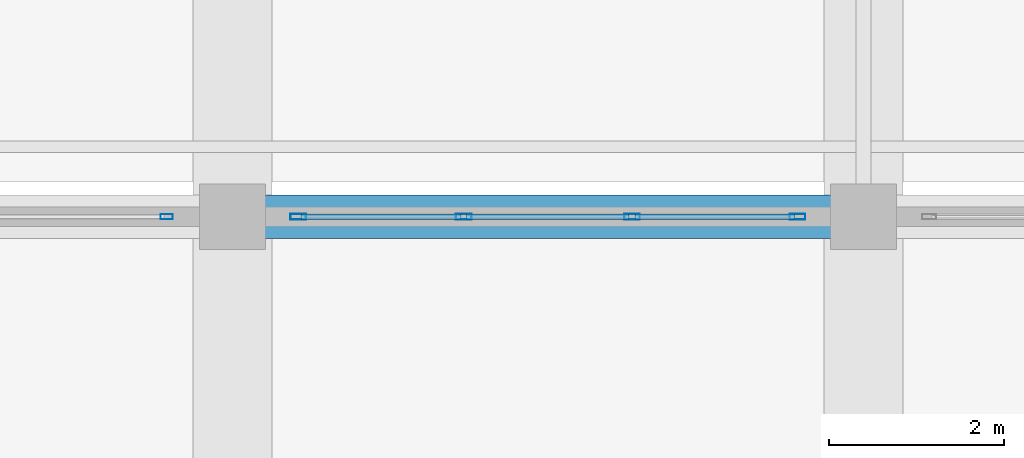
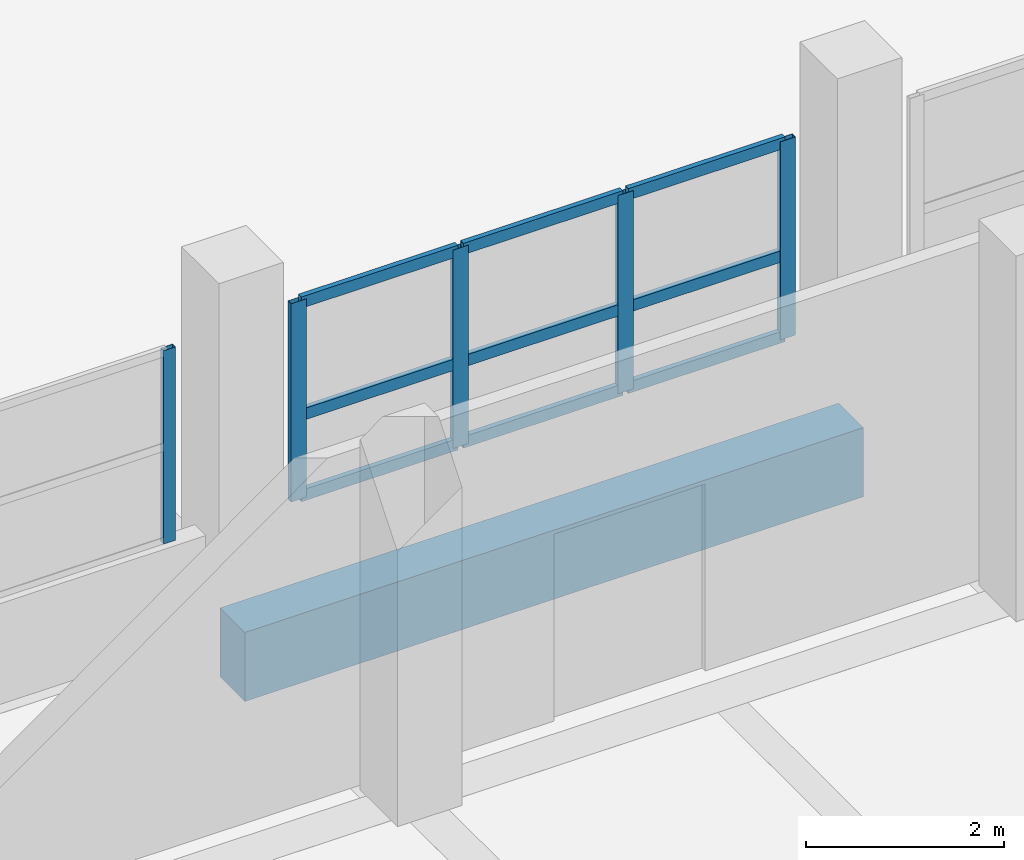
# One storey, part 86 of 141: 14 members, 1 beam, 2 elements without a shape of their own.
"""IFC4 building model written with IfcOpenShell, lengths in metres."""

from ifc_helpers import new_model, si_unit, direction, frame, origin, origin_2d, place, context, subcontext, project, spatial, rectangle, hollow_rectangle, extrude, material, layer, layer_set, material_profile, profile_set, type_object, element, aggregate, save


model = new_model("IFC4")

# Units and contexts
model_context = context("Model", 3, precision=1e-05, world=origin(), true_north=direction((0.0, 1.0)))
body_context = subcontext(model_context, "Body", "Model", "MODEL_VIEW")
ifc_project = project(units=[si_unit("LENGTHUNIT", "METRE"), si_unit("AREAUNIT", "SQUARE_METRE"), si_unit("VOLUMEUNIT", "CUBIC_METRE"), si_unit("PLANEANGLEUNIT", "RADIAN"), si_unit("MASSUNIT", "GRAM", prefix="KILO")], contexts=[model_context])

# Site, building, storey
site_placement = place(None, origin())
site = spatial("IfcSite", under=ifc_project, at=site_placement, CompositionType="ELEMENT")
building_placement = place(site_placement, origin())
building = spatial("IfcBuilding", under=site, at=building_placement, Name="Seraya Terrace Polytechnic", CompositionType="ELEMENT")
storey_placement = place(building_placement, frame((0.0, 0.0, 14.39990234375)))
storey = spatial("IfcBuildingStorey", under=building, at=storey_placement, Name="L03", CompositionType="ELEMENT", Elevation=14.39990234375)

# Beam
ifc_material_1 = material(Name="Concrete C40/50", Category="concrete")
ifc_material_profile_1 = material_profile(ifc_material_1, rectangle(XDim=0.5, YDim=0.85009765625, at=origin_2d()), Name="RC 500x850")
ifc_profile_set_1 = profile_set([ifc_material_profile_1], Name="Concrete C40/50")
beam_type = type_object("IfcBeamType", Name="BM-05", PredefinedType="BEAM", material=ifc_profile_set_1)
beam_placement = place(storey_placement, frame((64.800048828125, 75.60009765625, -0.4248046875), z_axis=(1.0, 0.0, 0.0), x_axis=(0.0, 1.0, 0.0)))
element("IfcBeam", 1, at=beam_placement, inside=storey, type_object=beam_type, Name="Beam BM-05 L03 X (64.8..72.0, 75.6)", PredefinedType="BEAM", context=body_context, shape_type="SweptSolid", body=[
    extrude(rectangle(XDim=0.5, YDim=0.85009765625, at=origin_2d()), origin(), (0.0, 0.0, 1.0), 7.199951171875),
])

# Curtain wall, members
ifc_material_2 = material(Name="Anodised aluminium EN AW-6063 T6", Category="aluminium")
ifc_layer_1 = layer(ifc_material_2, 0.179931640625, Name="CW-13")
ifc_layer_set_1 = layer_set([ifc_layer_1], Name="Anodised aluminium EN AW-6063 T6")
curtain_wall_type_1 = type_object("IfcCurtainWallType", Name="CW-13", PredefinedType="NOTDEFINED", material=ifc_layer_set_1)
curtain_wall_1_placement = place(storey_placement, origin())
curtain_wall_1 = element("IfcCurtainWall", 2, at=curtain_wall_1_placement, inside=storey, type_object=curtain_wall_type_1, Name="Unitised curtain wall CW-13 (CW-L03-121)", PredefinedType="NOTDEFINED")
ifc_material_profile_2 = material_profile(ifc_material_2, hollow_rectangle(XDim=0.06494140625, YDim=0.179931640625, WallThickness=0.00390625, at=origin_2d()), Name="RHS 180x65x4.0")
ifc_profile_set_2 = profile_set([ifc_material_profile_2], Name="Anodised aluminium EN AW-6063 T6")
member_type_1 = type_object("IfcMemberType", Name="CWM-01", PredefinedType="MULLION", material=ifc_profile_set_2)
member_1_placement = place(storey_placement, frame((65.552490234375, 75.60009765625, 1.239990234375), z_axis=(0.0, 0.0, 1.0), x_axis=(0.0, 1.0, 0.0)))
member_1 = element("IfcMember", 3, at=member_1_placement, type_object=member_type_1, Name="CW-13 mullion 1", PredefinedType="MULLION", context=body_context, shape_type="SweptSolid", body=[
    extrude(hollow_rectangle(XDim=0.06494140625, YDim=0.179931640625, WallThickness=0.00390625, at=origin_2d()), origin(), (0.0, 0.0, 1.0), 2.440185546875),
])
member_2_placement = place(storey_placement, frame((67.43994140625, 75.60009765625, 1.239990234375), z_axis=(0.0, 0.0, 1.0), x_axis=(0.0, 1.0, 0.0)))
member_2 = element("IfcMember", 4, at=member_2_placement, type_object=member_type_1, Name="CW-13 mullion 2", PredefinedType="MULLION", context=body_context, shape_type="SweptSolid", body=[
    extrude(hollow_rectangle(XDim=0.06494140625, YDim=0.179931640625, WallThickness=0.00390625, at=origin_2d()), origin(), (0.0, 0.0, 1.0), 2.440185546875),
])
member_3_placement = place(storey_placement, frame((69.360107421875, 75.60009765625, 1.239990234375), z_axis=(0.0, 0.0, 1.0), x_axis=(0.0, 1.0, 0.0)))
member_3 = element("IfcMember", 5, at=member_3_placement, type_object=member_type_1, Name="CW-13 mullion 3", PredefinedType="MULLION", context=body_context, shape_type="SweptSolid", body=[
    extrude(hollow_rectangle(XDim=0.06494140625, YDim=0.179931640625, WallThickness=0.00390625, at=origin_2d()), origin(), (0.0, 0.0, 1.0), 2.440185546875),
])
member_4_placement = place(storey_placement, frame((71.24755859375, 75.60009765625, 1.239990234375), z_axis=(0.0, 0.0, 1.0), x_axis=(0.0, 1.0, 0.0)))
member_4 = element("IfcMember", 6, at=member_4_placement, type_object=member_type_1, Name="CW-13 mullion 4", PredefinedType="MULLION", context=body_context, shape_type="SweptSolid", body=[
    extrude(hollow_rectangle(XDim=0.06494140625, YDim=0.179931640625, WallThickness=0.00390625, at=origin_2d()), origin(), (0.0, 0.0, 1.0), 2.440185546875),
])

# Curtain wall, member
ifc_layer_2 = layer(ifc_material_2, 0.179931640625, Name="CW-12")
ifc_layer_set_2 = layer_set([ifc_layer_2], Name="Anodised aluminium EN AW-6063 T6")
curtain_wall_type_2 = type_object("IfcCurtainWallType", Name="CW-12", PredefinedType="NOTDEFINED", material=ifc_layer_set_2)
curtain_wall_2_placement = place(storey_placement, origin())
curtain_wall_2 = element("IfcCurtainWall", 7, at=curtain_wall_2_placement, inside=storey, type_object=curtain_wall_type_2, Name="Unitised curtain wall CW-12 (CW-L03-120)", PredefinedType="NOTDEFINED")
ifc_material_profile_3 = material_profile(ifc_material_2, hollow_rectangle(XDim=0.06005859375, YDim=0.139892578125, WallThickness=0.00341796875, at=origin_2d()), Name="RHS 140x60x3.5")
ifc_profile_set_3 = profile_set([ifc_material_profile_3], Name="Anodised aluminium EN AW-6063 T6")
member_type_2 = type_object("IfcMemberType", Name="CWM-03", PredefinedType="MULLION", material=ifc_profile_set_3)
member_5_placement = place(storey_placement, frame((64.050048828125, 75.60009765625, 1.239990234375), z_axis=(0.0, 0.0, 1.0), x_axis=(0.0, 1.0, 0.0)))
member_5 = element("IfcMember", 8, at=member_5_placement, type_object=member_type_2, Name="CW-12 mullion 3", PredefinedType="MULLION", context=body_context, shape_type="SweptSolid", body=[
    extrude(hollow_rectangle(XDim=0.06005859375, YDim=0.139892578125, WallThickness=0.00341796875, at=origin_2d()), origin(), (0.0, 0.0, 1.0), 2.380126953125),
])
aggregate(curtain_wall_2, [member_5])

# Member
ifc_material_profile_4 = material_profile(ifc_material_2, hollow_rectangle(XDim=0.06005859375, YDim=0.139892578125, WallThickness=0.00341796875, at=origin_2d()), Name="RHS 140x60x3.5")
ifc_profile_set_4 = profile_set([ifc_material_profile_4], Name="Anodised aluminium EN AW-6063 T6")
member_type_3 = type_object("IfcMemberType", Name="CWT-01", PredefinedType="USERDEFINED", material=ifc_profile_set_4)
member_6_placement = place(storey_placement, frame((65.5849609375, 75.60009765625, 1.27001953125), z_axis=(1.0, 0.0, 0.0), x_axis=(0.0, 1.0, 0.0)))
member_6 = element("IfcMember", 9, at=member_6_placement, type_object=member_type_3, Name="CW-13 transom 1.1", ObjectType="TRANSOM", PredefinedType="USERDEFINED", context=body_context, shape_type="SweptSolid", body=[
    extrude(hollow_rectangle(XDim=0.06005859375, YDim=0.139892578125, WallThickness=0.00341796875, at=origin_2d()), origin(), (0.0, 0.0, 1.0), 1.822509765625),
])

member_7_placement = place(storey_placement, frame((65.5849609375, 75.60009765625, 2.264892578125), z_axis=(1.0, 0.0, 0.0), x_axis=(0.0, 1.0, 0.0)))
member_7 = element("IfcMember", 10, at=member_7_placement, type_object=member_type_3, Name="CW-13 transom 1.2", ObjectType="TRANSOM", PredefinedType="USERDEFINED", context=body_context, shape_type="SweptSolid", body=[
    extrude(hollow_rectangle(XDim=0.06005859375, YDim=0.139892578125, WallThickness=0.00341796875, at=origin_2d()), origin(), (0.0, 0.0, 1.0), 1.822509765625),
])

member_8_placement = place(storey_placement, frame((65.5849609375, 75.60009765625, 3.650146484375), z_axis=(1.0, 0.0, 0.0), x_axis=(0.0, 1.0, 0.0)))
member_8 = element("IfcMember", 11, at=member_8_placement, type_object=member_type_3, Name="CW-13 transom 1.3", ObjectType="TRANSOM", PredefinedType="USERDEFINED", context=body_context, shape_type="SweptSolid", body=[
    extrude(hollow_rectangle(XDim=0.06005859375, YDim=0.139892578125, WallThickness=0.00341796875, at=origin_2d()), origin(), (0.0, 0.0, 1.0), 1.822509765625),
])

member_9_placement = place(storey_placement, frame((67.472412109375, 75.60009765625, 1.27001953125), z_axis=(1.0, 0.0, 0.0), x_axis=(0.0, 1.0, 0.0)))
member_9 = element("IfcMember", 12, at=member_9_placement, type_object=member_type_3, Name="CW-13 transom 2.1", ObjectType="TRANSOM", PredefinedType="USERDEFINED", context=body_context, shape_type="SweptSolid", body=[
    extrude(hollow_rectangle(XDim=0.06005859375, YDim=0.139892578125, WallThickness=0.00341796875, at=origin_2d()), origin(), (0.0, 0.0, 1.0), 1.85498046875),
])

member_10_placement = place(storey_placement, frame((67.472412109375, 75.60009765625, 2.264892578125), z_axis=(1.0, 0.0, 0.0), x_axis=(0.0, 1.0, 0.0)))
member_10 = element("IfcMember", 13, at=member_10_placement, type_object=member_type_3, Name="CW-13 transom 2.2", ObjectType="TRANSOM", PredefinedType="USERDEFINED", context=body_context, shape_type="SweptSolid", body=[
    extrude(hollow_rectangle(XDim=0.06005859375, YDim=0.139892578125, WallThickness=0.00341796875, at=origin_2d()), origin(), (0.0, 0.0, 1.0), 1.85498046875),
])

member_11_placement = place(storey_placement, frame((67.472412109375, 75.60009765625, 3.650146484375), z_axis=(1.0, 0.0, 0.0), x_axis=(0.0, 1.0, 0.0)))
member_11 = element("IfcMember", 14, at=member_11_placement, type_object=member_type_3, Name="CW-13 transom 2.3", ObjectType="TRANSOM", PredefinedType="USERDEFINED", context=body_context, shape_type="SweptSolid", body=[
    extrude(hollow_rectangle(XDim=0.06005859375, YDim=0.139892578125, WallThickness=0.00341796875, at=origin_2d()), origin(), (0.0, 0.0, 1.0), 1.85498046875),
])

member_12_placement = place(storey_placement, frame((69.392578125, 75.60009765625, 1.27001953125), z_axis=(1.0, 0.0, 0.0), x_axis=(0.0, 1.0, 0.0)))
member_12 = element("IfcMember", 15, at=member_12_placement, type_object=member_type_3, Name="CW-13 transom 3.1", ObjectType="TRANSOM", PredefinedType="USERDEFINED", context=body_context, shape_type="SweptSolid", body=[
    extrude(hollow_rectangle(XDim=0.06005859375, YDim=0.139892578125, WallThickness=0.00341796875, at=origin_2d()), origin(), (0.0, 0.0, 1.0), 1.822509765625),
])

member_13_placement = place(storey_placement, frame((69.392578125, 75.60009765625, 2.264892578125), z_axis=(1.0, 0.0, 0.0), x_axis=(0.0, 1.0, 0.0)))
member_13 = element("IfcMember", 16, at=member_13_placement, type_object=member_type_3, Name="CW-13 transom 3.2", ObjectType="TRANSOM", PredefinedType="USERDEFINED", context=body_context, shape_type="SweptSolid", body=[
    extrude(hollow_rectangle(XDim=0.06005859375, YDim=0.139892578125, WallThickness=0.00341796875, at=origin_2d()), origin(), (0.0, 0.0, 1.0), 1.822509765625),
])

member_14_placement = place(storey_placement, frame((69.392578125, 75.60009765625, 3.650146484375), z_axis=(1.0, 0.0, 0.0), x_axis=(0.0, 1.0, 0.0)))
member_14 = element("IfcMember", 17, at=member_14_placement, type_object=member_type_3, Name="CW-13 transom 3.3", ObjectType="TRANSOM", PredefinedType="USERDEFINED", context=body_context, shape_type="SweptSolid", body=[
    extrude(hollow_rectangle(XDim=0.06005859375, YDim=0.139892578125, WallThickness=0.00341796875, at=origin_2d()), origin(), (0.0, 0.0, 1.0), 1.822509765625),
])

aggregate(curtain_wall_1, [member_1, member_2, member_3, member_4, member_6, member_7, member_8, member_9, member_10, member_11, member_12, member_13, member_14])

save(model, "model.ifc")
